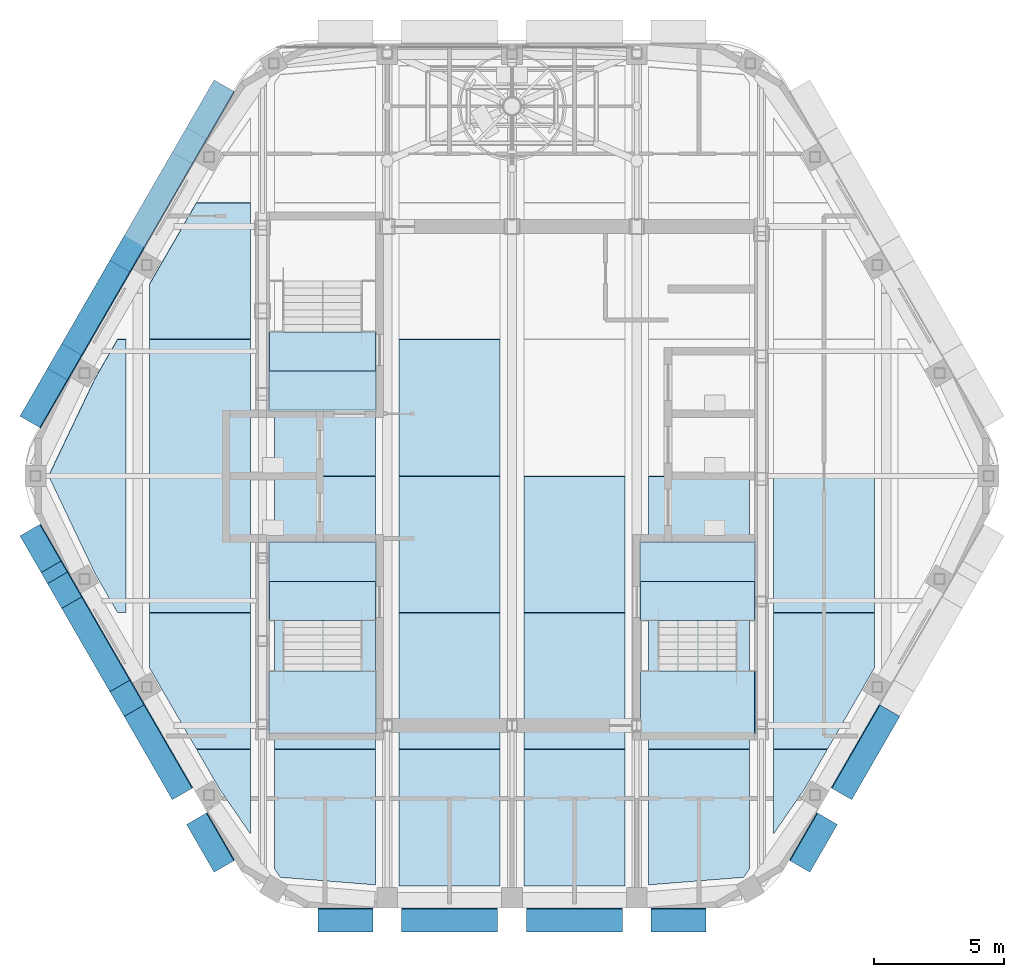
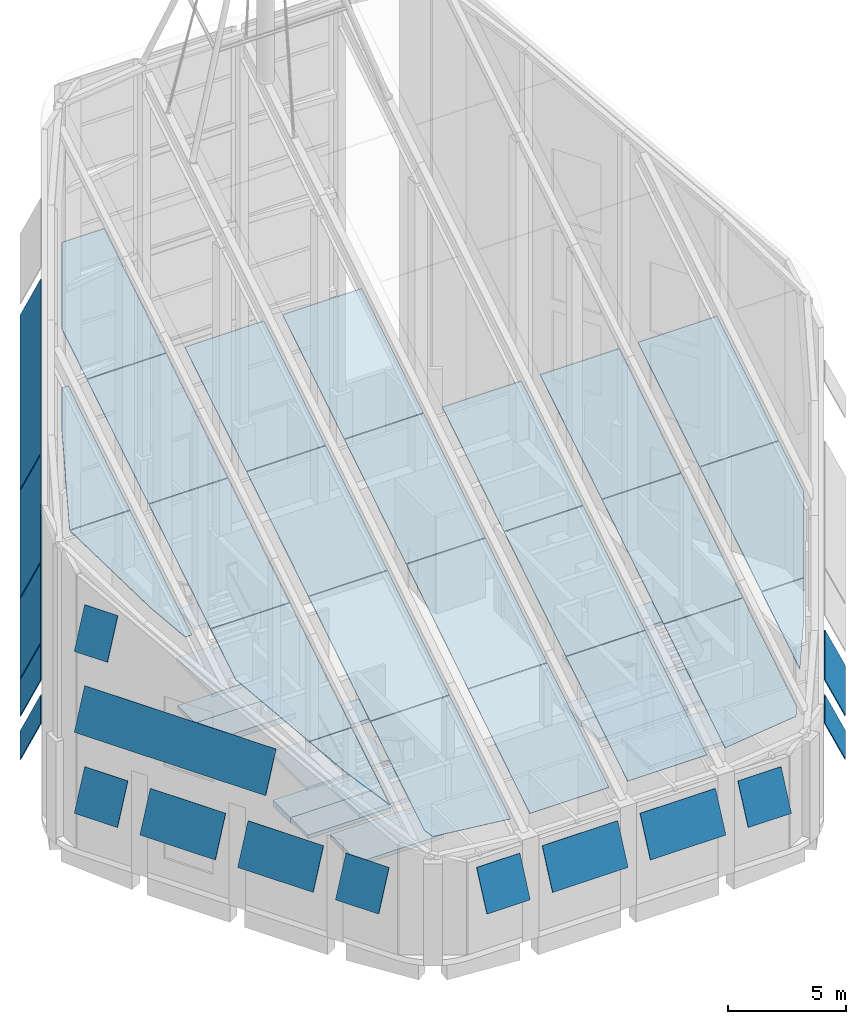
# One storey, part 7 of 25: 41 plates, 16 slabs, 3 elements without a shape of their own.
"""IFC4 building model written with IfcOpenShell, lengths in metres."""

from ifc_helpers import new_model, si_unit, direction, frame, origin, place, context, subcontext, project, spatial, polyline, outline, extrude, material, layer, layer_set, type_object, element, aggregate, save


model = new_model("IFC4")

# Units and contexts
model_context = context("Model", 3, precision=1e-05, world=origin(), true_north=direction((0.0, 1.0)))
body_context = subcontext(model_context, "Body", "Model", "MODEL_VIEW")
ifc_project = project(units=[si_unit("LENGTHUNIT", "METRE"), si_unit("AREAUNIT", "SQUARE_METRE"), si_unit("VOLUMEUNIT", "CUBIC_METRE"), si_unit("PLANEANGLEUNIT", "RADIAN"), si_unit("MASSUNIT", "GRAM", prefix="KILO")], contexts=[model_context])

# Site, building, storey
site_placement = place(None, origin())
site = spatial("IfcSite", under=ifc_project, at=site_placement, CompositionType="ELEMENT")
building_placement = place(site_placement, origin())
building = spatial("IfcBuilding", under=site, at=building_placement, Name="Kolab Exchange Tower", CompositionType="ELEMENT")
storey_placement = place(building_placement, frame((0.0, 0.0, 301.89990234375)))
storey = spatial("IfcBuildingStorey", under=building, at=storey_placement, Name="L68", CompositionType="ELEMENT", Elevation=301.89990234375)

# Plates
ifc_material_1 = material(Name="Clear insulated glazing unit", Category="glass")
ifc_layer_1 = layer(ifc_material_1, 0.033935546875)
ifc_layer_set_1 = layer_set([ifc_layer_1], Name="Clear insulated glazing unit")
plate_type_1 = type_object("IfcPlateType", Name="CROWN ROOF GLAZING SHEET 34", PredefinedType="SHEET", material=ifc_layer_set_1)
plate_1_placement = place(storey_placement, frame((-16.046142578125, -3.742919921875, 13.091552734375), z_axis=(2.865514e-05, -0.529917489585, 0.848049204593), x_axis=(-0.374102773752, 0.786464340751, 0.491447815539)))
element("IfcPlate", 1, at=plate_1_placement, inside=storey, type_object=plate_type_1, Name="Crown roof glazing panel", PredefinedType="SHEET", context=body_context, shape_type="SweptSolid", body=[
    extrude(outline(polyline([(0.0, 0.0), (4.746382244443765, -5.551115123125783e-17), (3.638413311732546, -2.7466149280675314), (-2.0910398032323254, -0.43538593797410513), (-1.9727626811598642, -0.14218122839967162), (0.0, 0.0)])), origin(), (0.0, 0.0, -1.0), 0.033935546875),
])
plate_2_placement = place(storey_placement, frame((-16.046142578125, 3.742919921875, 17.76904296875), z_axis=(-2.865514e-05, -0.529917489585, 0.848049204593), x_axis=(0.439800788013, 0.761622373471, 0.47592712372)))
element("IfcPlate", 2, at=plate_2_placement, inside=storey, type_object=plate_type_1, Name="Crown roof glazing panel", PredefinedType="SHEET", context=body_context, shape_type="SweptSolid", body=[
    extrude(outline(polyline([(0.0, 0.0), (1.9778796975261907, -1.3877787807814457e-16), (2.1169280423690964, -0.2839437217457368), (-3.4315580083544726, -3.001058917344725), (-4.734102773828825, -0.3411969185049326), (0.0, 0.0)])), origin(), (0.0, 0.0, -1.0), 0.033935546875),
])
plate_3_placement = place(storey_placement, frame((-11.264404296875, -12.02490234375, 7.916259765625), z_axis=(-2.2989521e-05, -0.529923444965, 0.84804548342), x_axis=(-0.439778142488, 0.761640471596, 0.475919087047)))
element("IfcPlate", 3, at=plate_3_placement, inside=storey, type_object=plate_type_1, Name="Crown roof glazing panel", PredefinedType="SHEET", context=body_context, shape_type="SweptSolid", body=[
    extrude(outline(polyline([(0.0, 0.0), (1.9646580566581207, -8.326672684688674e-17), (1.0550388127223036, -1.8576068833181485), (-2.381355602784418, -0.17489860100711707), (0.0, 0.0)])), origin(), (0.0, 0.0, -1.0), 0.033935546875),
])
plate_4_placement = place(storey_placement, frame((-13.6552734375, -7.8837890625, 10.50390625), z_axis=(-8.239304e-06, -0.529903977733, 0.84805764799), x_axis=(-0.439605031224, 0.761719828678, 0.475952013465)))
element("IfcPlate", 4, at=plate_4_placement, inside=storey, type_object=plate_type_1, Name="Crown roof glazing panel", PredefinedType="SHEET", context=body_context, shape_type="SweptSolid", body=[
    extrude(outline(polyline([(0.0, 0.0), (0.6475539339216134, -1.3877787807814457e-17), (2.8942646449767215, -1.0996159182913814), (1.188648640040318, -4.584492484457789), (-4.360313291594177, -1.8686435582097498), (-3.4460078079512604, -0.0005549937010898565), (0.0, 0.0)])), origin(), (0.0, 0.0, -1.0), 0.033935546875),
])
for number, where, z_axis, x_axis, name in (
    (5, (-13.93994140625, -5.249267578125, 12.150146484375), (0.0, -0.529927895685, 0.848042702566), (0.0, 0.848042702566, 0.529927895685), "Crown roof glazing panel"),
    (6, (-13.93994140625, 0.010009765625, 15.4365234375), (0.0, -0.529927895685, 0.848042702566), (0.0, 0.848042702566, 0.529927895685), "Crown roof glazing panel"),
):
    element("IfcPlate", number, at=place(storey_placement, frame(where, z_axis=z_axis, x_axis=x_axis)), inside=storey, type_object=plate_type_1, Name=name, PredefinedType="SHEET", context=body_context, shape_type="SweptSolid", body=[
        extrude(outline(polyline([(0.0, 0.0), (6.178058954637429, 0.0), (6.178058954637429, -3.8798828125), (0.0, -3.8798828125), (0.0, 0.0)])), origin(), (0.0, 0.0, -1.0), 0.033935546875),
    ])
plate_5_placement = place(storey_placement, frame((-13.6552734375, 7.8837890625, 20.356689453125), z_axis=(2.3686535e-05, -0.529905187228, 0.848056891952), x_axis=(0.439749683277, 0.761662697363, 0.475909814465)))
element("IfcPlate", 7, at=plate_5_placement, inside=storey, type_object=plate_type_1, Name="Crown roof glazing panel", PredefinedType="SHEET", context=body_context, shape_type="SweptSolid", body=[
    extrude(outline(polyline([(0.0, 0.0), (3.446007853322028, -1.6653345369377348e-16), (4.360614189218777, -1.8679412866767962), (-1.1879102706366615, -4.584683863120433), (-2.8940875085837363, -1.1000820403868212), (-0.6474377356514304, -4.739862887470636e-05), (0.0, 0.0)])), origin(), (0.0, 0.0, -1.0), 0.033935546875),
])
plate_6_placement = place(storey_placement, frame((-8.913330078125, -15.438232421875, 5.783447265625), z_axis=(1.5541599e-05, -0.529922981965, 0.848045772906), x_axis=(-0.503898988149, 0.732506062215, 0.457734288164)))
element("IfcPlate", 8, at=plate_6_placement, inside=storey, type_object=plate_type_1, Name="Crown roof glazing panel", PredefinedType="SHEET", context=body_context, shape_type="SweptSolid", body=[
    extrude(outline(polyline([(0.0, 0.0), (0.4496188827764328, 0.0), (5.114795956350343, -2.7215557131164263), (3.1597269329950723, -6.072853334786806), (-2.137620598108784, -2.9825040940733913), (0.0, 0.0)])), origin(), (0.0, 0.0, -1.0), 0.033935546875),
])
plate_7_placement = place(storey_placement, frame((-9.139892578125, -10.508544921875, 8.864013671875), z_axis=(0.0, -0.529899474833, 0.848060461625), x_axis=(0.0, 0.848060461625, 0.529899474833)))
element("IfcPlate", 9, at=plate_7_placement, inside=storey, type_object=plate_type_1, Name="Crown roof glazing panel", PredefinedType="SHEET", context=body_context, shape_type="SweptSolid", body=[
    extrude(outline(polyline([(0.0, 0.0), (6.177929581179076, 0.0), (6.177929581179076, -3.8798828125), (0.0, -3.8798828125), (0.0, 0.0)])), origin(), (0.0, 0.0, -1.0), 0.033935546875),
])
for number, where, z_axis, x_axis, name in (
    (10, (-9.139892578125, -5.249267578125, 12.150146484375), (0.0, -0.529927895685, 0.848042702566), (0.0, 0.848042702566, 0.529927895685), "Crown roof glazing panel"),
    (11, (-9.139892578125, 0.010009765625, 15.4365234375), (0.0, -0.529927895685, 0.848042702566), (0.0, 0.848042702566, 0.529927895685), "Crown roof glazing panel"),
):
    element("IfcPlate", number, at=place(storey_placement, frame(where, z_axis=z_axis, x_axis=x_axis)), inside=storey, type_object=plate_type_1, Name=name, PredefinedType="SHEET", context=body_context, shape_type="SweptSolid", body=[
        extrude(outline(polyline([(0.0, 0.0), (6.178058954637429, 0.0), (6.178058954637429, -3.8798828125), (0.0, -3.8798828125), (0.0, 0.0)])), origin(), (0.0, 0.0, -1.0), 0.033935546875),
    ])
plate_8_placement = place(storey_placement, frame((-4.340087890625, -15.767578125, 5.57763671875), z_axis=(0.0, -0.529917234267, 0.848049364617), x_axis=(0.0, 0.848049364617, 0.529917234267)))
element("IfcPlate", 12, at=plate_8_placement, inside=storey, type_object=plate_type_1, Name="Crown roof glazing panel", PredefinedType="SHEET", context=body_context, shape_type="SweptSolid", body=[
    extrude(outline(polyline([(0.0, 0.0), (6.177722536522531, 0.0), (6.177722536522531, -3.880126953125), (0.0, -3.880126953125), (0.0, 0.0)])), origin(), (0.0, 0.0, -1.0), 0.033935546875),
])
plate_9_placement = place(storey_placement, frame((-4.340087890625, -10.508544921875, 8.864013671875), z_axis=(0.0, -0.529899474833, 0.848060461625), x_axis=(0.0, 0.848060461625, 0.529899474833)))
element("IfcPlate", 13, at=plate_9_placement, inside=storey, type_object=plate_type_1, Name="Crown roof glazing panel", PredefinedType="SHEET", context=body_context, shape_type="SweptSolid", body=[
    extrude(outline(polyline([(0.0, 0.0), (6.177929581179076, 0.0), (6.177929581179076, -3.880126953125), (0.0, -3.880126953125), (0.0, 0.0)])), origin(), (0.0, 0.0, -1.0), 0.033935546875),
])
for number, where, z_axis, x_axis, name in (
    (14, (-4.340087890625, -5.249267578125, 12.150146484375), (0.0, -0.529927895685, 0.848042702566), (0.0, 0.848042702566, 0.529927895685), "Crown roof glazing panel"),
    (15, (-4.340087890625, 0.010009765625, 15.4365234375), (0.0, -0.529927895685, 0.848042702566), (0.0, 0.848042702566, 0.529927895685), "Crown roof glazing panel"),
):
    element("IfcPlate", number, at=place(storey_placement, frame(where, z_axis=z_axis, x_axis=x_axis)), inside=storey, type_object=plate_type_1, Name=name, PredefinedType="SHEET", context=body_context, shape_type="SweptSolid", body=[
        extrude(outline(polyline([(0.0, 0.0), (6.178058954637429, 0.0), (6.178058954637429, -3.880126953125), (0.0, -3.880126953125), (0.0, 0.0)])), origin(), (0.0, 0.0, -1.0), 0.033935546875),
    ])
plate_10_placement = place(storey_placement, frame((0.4599609375, -15.767578125, 5.57763671875), z_axis=(0.0, -0.529917234267, 0.848049364617), x_axis=(0.0, 0.848049364617, 0.529917234267)))
element("IfcPlate", 16, at=plate_10_placement, inside=storey, type_object=plate_type_1, Name="Crown roof glazing panel", PredefinedType="SHEET", context=body_context, shape_type="SweptSolid", body=[
    extrude(outline(polyline([(0.0, 0.0), (6.177722536522531, 0.0), (6.177722536522531, -3.880126953125), (0.0, -3.880126953125), (0.0, 0.0)])), origin(), (0.0, 0.0, -1.0), 0.033935546875),
])
plate_11_placement = place(storey_placement, frame((0.4599609375, -10.508544921875, 8.864013671875), z_axis=(0.0, -0.529899474833, 0.848060461625), x_axis=(0.0, 0.848060461625, 0.529899474833)))
element("IfcPlate", 17, at=plate_11_placement, inside=storey, type_object=plate_type_1, Name="Crown roof glazing panel", PredefinedType="SHEET", context=body_context, shape_type="SweptSolid", body=[
    extrude(outline(polyline([(0.0, 0.0), (6.177929581179076, 0.0), (6.177929581179076, -3.880126953125), (0.0, -3.880126953125), (0.0, 0.0)])), origin(), (0.0, 0.0, -1.0), 0.033935546875),
])
plate_12_placement = place(storey_placement, frame((0.4599609375, -5.249267578125, 12.150146484375), z_axis=(0.0, -0.529927895685, 0.848042702566), x_axis=(0.0, 0.848042702566, 0.529927895685)))
element("IfcPlate", 18, at=plate_12_placement, inside=storey, type_object=plate_type_1, Name="Crown roof glazing panel", PredefinedType="SHEET", context=body_context, shape_type="SweptSolid", body=[
    extrude(outline(polyline([(0.0, 0.0), (6.178058954637429, 0.0), (6.178058954637429, -3.880126953125), (0.0, -3.880126953125), (0.0, 0.0)])), origin(), (0.0, 0.0, -1.0), 0.033935546875),
])
plate_13_placement = place(storey_placement, frame((8.913330078125, -15.438232421875, 5.783447265625), z_axis=(-1.5541599e-05, -0.529922981965, 0.848045772906), x_axis=(-0.995608427966, -0.079382011638, -0.049622115943)))
element("IfcPlate", 19, at=plate_13_placement, inside=storey, type_object=plate_type_1, Name="Crown roof glazing panel", PredefinedType="SHEET", context=body_context, shape_type="SweptSolid", body=[
    extrude(outline(polyline([(0.0, 0.0), (3.6694349009927256, -5.551115123125783e-17), (3.0953029182413743, -6.10594151308806), (-0.7675411094055609, -5.742724424875963), (-0.2619244137187288, -0.36544868483444815), (0.0, 0.0)])), origin(), (0.0, 0.0, -1.0), 0.033935546875),
])
plate_14_placement = place(storey_placement, frame((5.260009765625, -10.508544921875, 8.864013671875), z_axis=(0.0, -0.529899474833, 0.848060461625), x_axis=(0.0, 0.848060461625, 0.529899474833)))
element("IfcPlate", 20, at=plate_14_placement, inside=storey, type_object=plate_type_1, Name="Crown roof glazing panel", PredefinedType="SHEET", context=body_context, shape_type="SweptSolid", body=[
    extrude(outline(polyline([(0.0, 0.0), (6.177929581179076, 0.0), (6.177929581179076, -3.8798828125), (0.0, -3.8798828125), (0.0, 0.0)])), origin(), (0.0, 0.0, -1.0), 0.033935546875),
])
plate_15_placement = place(storey_placement, frame((5.260009765625, -5.249267578125, 12.150146484375), z_axis=(0.0, -0.529927895685, 0.848042702566), x_axis=(0.0, 0.848042702566, 0.529927895685)))
element("IfcPlate", 21, at=plate_15_placement, inside=storey, type_object=plate_type_1, Name="Crown roof glazing panel", PredefinedType="SHEET", context=body_context, shape_type="SweptSolid", body=[
    extrude(outline(polyline([(0.0, 0.0), (6.178058954637429, 0.0), (6.178058954637429, -3.8798828125), (0.0, -3.8798828125), (0.0, 0.0)])), origin(), (0.0, 0.0, -1.0), 0.033935546875),
])
plate_16_placement = place(storey_placement, frame((11.264404296875, -12.02490234375, 7.916259765625), z_axis=(2.2989521e-05, -0.529923444965, 0.84804548342), x_axis=(-0.504381019711, -0.732277478584, -0.457569100042)))
element("IfcPlate", 22, at=plate_16_placement, inside=storey, type_object=plate_type_1, Name="Crown roof glazing panel", PredefinedType="SHEET", context=body_context, shape_type="SweptSolid", body=[
    extrude(outline(polyline([(0.0, 0.0), (2.387769676402434, -2.220446049250313e-16), (-0.916139343059928, -1.9298960939385252), (-1.9593805537506293, -0.14390665438241942), (0.0, 0.0)])), origin(), (0.0, 0.0, -1.0), 0.033935546875),
])
plate_17_placement = place(storey_placement, frame((13.6552734375, -7.8837890625, 10.50390625), z_axis=(8.239304e-06, -0.529903977733, 0.84805764799), x_axis=(-0.439749682899, -0.761659776785, -0.475914488977)))
element("IfcPlate", 23, at=plate_17_placement, inside=storey, type_object=plate_type_1, Name="Crown roof glazing panel", PredefinedType="SHEET", context=body_context, shape_type="SweptSolid", body=[
    extrude(outline(polyline([(0.0, 0.0), (3.4460078526432674, -1.6653345369377348e-16), (4.360614187755061, -1.8679412876321635), (-1.187910273303078, -4.584683861740159), (-2.8940875097858383, -1.1000820372243303), (-0.6475539255233493, -0.00010429121749298831), (0.0, 0.0)])), origin(), (0.0, 0.0, -1.0), 0.033935546875),
])
plate_18_placement = place(storey_placement, frame((10.06005859375, -5.249267578125, 12.150146484375), z_axis=(0.0, -0.529927895685, 0.848042702566), x_axis=(0.0, 0.848042702566, 0.529927895685)))
element("IfcPlate", 24, at=plate_18_placement, inside=storey, type_object=plate_type_1, Name="Crown roof glazing panel", PredefinedType="SHEET", context=body_context, shape_type="SweptSolid", body=[
    extrude(outline(polyline([(0.0, 0.0), (6.178058954637429, 0.0), (6.178058954637429, -3.8798828125), (0.0, -3.8798828125), (0.0, 0.0)])), origin(), (0.0, 0.0, -1.0), 0.033935546875),
])

# Slabs
ifc_material_2 = material(Name="Concrete C35/45", Category="concrete")
ifc_layer_2 = layer(ifc_material_2, 0.300048828125)
ifc_layer_set_2 = layer_set([ifc_layer_2], Name="Concrete C35/45")
slab_type_1 = type_object("IfcSlabType", Name="FLOOR SLAB 300", PredefinedType="FLOOR", material=ifc_layer_set_2)
slab_1_placement = place(storey_placement, frame((0.0, 0.0, -0.2998046875)))
element("IfcSlab", 25, at=slab_1_placement, inside=storey, type_object=slab_type_1, Name="slab/L68/floor/2", PredefinedType="FLOOR", context=body_context, shape_type="SweptSolid", body=[
    extrude(outline(polyline([(4.949951171875, -2.550048828125), (4.949951171875, -4.050048828125), (9.324951171875, -4.050048828125), (9.324951171875, -2.550048828125), (6.14990234375, -2.550048828125), (5.85009765625, -2.550048828125), (4.949951171875, -2.550048828125)])), origin(), (0.0, 0.0, 1.0), 0.2998046875),
])
slab_2_placement = place(storey_placement, frame((0.0, 0.0, -0.2998046875)))
element("IfcSlab", 26, at=slab_2_placement, inside=storey, type_object=slab_type_1, Name="slab/L68/floor/3", PredefinedType="FLOOR", context=body_context, shape_type="SweptSolid", body=[
    extrude(outline(polyline([(-7.25, -2.550048828125), (-7.550048828125, -2.550048828125), (-9.324951171875, -2.550048828125), (-9.324951171875, -4.050048828125), (-5.25, -4.050048828125), (-5.25, -2.550048828125), (-7.25, -2.550048828125)])), origin(), (0.0, 0.0, 1.0), 0.2998046875),
])
slab_3_placement = place(storey_placement, frame((0.0, 0.0, -0.2998046875)))
element("IfcSlab", 27, at=slab_3_placement, inside=storey, type_object=slab_type_1, Name="slab/L68/floor/4", PredefinedType="FLOOR", context=body_context, shape_type="SweptSolid", body=[
    extrude(outline(polyline([(-9.324951171875, 4.050048828125), (-9.324951171875, 2.550048828125), (-7.550048828125, 2.550048828125), (-7.25, 2.550048828125), (-5.25, 2.550048828125), (-5.25, 4.050048828125), (-9.324951171875, 4.050048828125)])), origin(), (0.0, 0.0, 1.0), 0.2998046875),
])

# Plates
ifc_material_3 = material(Name="Laminated glass, clear", Category="glass")
ifc_layer_3 = layer(ifc_material_3, 0.0400390625)
ifc_layer_set_3 = layer_set([ifc_layer_3], Name="Laminated glass, clear")
plate_type_2 = type_object("IfcPlateType", Name="OUTER SKIN LAMINATED GLASS SHEET 40", PredefinedType="SHEET", material=ifc_layer_set_3)
plate_19_placement = place(storey_placement, frame((14.919677734375, -9.248779296875, 2.527099609375), z_axis=(0.784897489351, -0.453177384709, 0.42257092801), x_axis=(-0.500013743233, -0.86601746898, 0.0)))
element("IfcPlate", 28, at=plate_19_placement, inside=storey, type_object=plate_type_2, Name="Outer skin", PredefinedType="SHEET", context=body_context, shape_type="SweptSolid", body=[
    extrude(outline(polyline([(0.0, 0.0), (3.7000936100046706, -1.1102230246251565e-16), (3.700276092257063, -2.085214960370441), (0.0001824822523921022, -2.085214960370441), (0.0, 0.0)])), origin(), (0.0, 0.0, -1.0), 0.0400390625),
])
plate_20_placement = place(storey_placement, frame((12.51953125, -13.406005859375, 2.527099609375), z_axis=(0.784891112432, -0.45312116534, 0.422643054061), x_axis=(-0.499974724637, -0.86603999596, 1.1039122e-05)))
element("IfcPlate", 29, at=plate_20_placement, inside=storey, type_object=plate_type_2, Name="Outer skin", PredefinedType="SHEET", context=body_context, shape_type="SweptSolid", body=[
    extrude(outline(polyline([(0.0, 0.0), (2.1176960035160506, -5.551115123125783e-17), (2.117648213074376, -2.085266547008332), (-0.0002592259875631051, -2.085318138685354), (0.0, 0.0)])), origin(), (0.0, 0.0, -1.0), 0.0400390625),
])
plate_21_placement = place(storey_placement, frame((7.468017578125, -17.54541015625, 2.527099609375), z_axis=(0.0, -0.906248928223, 0.422744461932), x_axis=(-1.0, 0.0, 0.0)))
element("IfcPlate", 30, at=plate_21_placement, inside=storey, type_object=plate_type_2, Name="Outer skin", PredefinedType="SHEET", context=body_context, shape_type="SweptSolid", body=[
    extrude(outline(polyline([(0.0, 0.0), (2.117919921875, 0.0), (2.117919921875, -2.085401173196479), (0.0, -2.085401173196479), (0.0, 0.0)])), origin(), (0.0, 0.0, -1.0), 0.0400390625),
])
for number, where, z_axis, x_axis, name in (
    (31, (4.25, -17.54541015625, 2.527099609375), (0.0, -0.906248928223, 0.422744461932), (-1.0, 0.0, 0.0), "Outer skin"),
    (32, (-0.550048828125, -17.54541015625, 2.527099609375), (0.0, -0.906248928223, 0.422744461932), (-1.0, 0.0, 0.0), "Outer skin"),
):
    element("IfcPlate", number, at=place(storey_placement, frame(where, z_axis=z_axis, x_axis=x_axis)), inside=storey, type_object=plate_type_2, Name=name, PredefinedType="SHEET", context=body_context, shape_type="SweptSolid", body=[
        extrude(outline(polyline([(0.0, 0.0), (3.699951171875, 0.0), (3.699951171875, -2.085401173196479), (0.0, -2.085401173196479), (0.0, 0.0)])), origin(), (0.0, 0.0, -1.0), 0.0400390625),
    ])
plate_22_placement = place(storey_placement, frame((-5.35009765625, -17.54541015625, 2.527099609375), z_axis=(0.0, -0.906248928223, 0.422744461932), x_axis=(-1.0, 0.0, 0.0)))
element("IfcPlate", 33, at=plate_22_placement, inside=storey, type_object=plate_type_2, Name="Outer skin", PredefinedType="SHEET", context=body_context, shape_type="SweptSolid", body=[
    extrude(outline(polyline([(0.0, 0.0), (2.117919921875, 0.0), (2.117919921875, -2.085401173196479), (0.0, -2.085401173196479), (0.0, 0.0)])), origin(), (0.0, 0.0, -1.0), 0.0400390625),
])
plate_23_placement = place(storey_placement, frame((-11.460693359375, -15.239990234375, 2.527099609375), z_axis=(-0.784891112432, -0.45312116534, 0.422643054061), x_axis=(-0.499974724637, 0.86603999596, -1.1039122e-05)))
element("IfcPlate", 34, at=plate_23_placement, inside=storey, type_object=plate_type_2, Name="Outer skin", PredefinedType="SHEET", context=body_context, shape_type="SweptSolid", body=[
    extrude(outline(polyline([(0.0, 0.0), (2.1176960035160506, 5.551115123125783e-17), (2.1179552295036137, -2.085318138685354), (4.779044167451096e-05, -2.085266547008332), (0.0, 0.0)])), origin(), (0.0, 0.0, -1.0), 0.0400390625),
])
plate_24_placement = place(storey_placement, frame((-13.069580078125, -12.453125, 2.527099609375), z_axis=(-0.784897489351, -0.453177384709, 0.42257092801), x_axis=(-0.500013743233, 0.86601746898, 0.0)))
element("IfcPlate", 35, at=plate_24_placement, inside=storey, type_object=plate_type_2, Name="Outer skin", PredefinedType="SHEET", context=body_context, shape_type="SweptSolid", body=[
    extrude(outline(polyline([(0.0, 0.0), (3.7000936100046706, 1.1102230246251565e-16), (3.6999111277522783, -2.085214960370441), (-0.0001824822523921022, -2.085214960370441), (0.0, 0.0)])), origin(), (0.0, 0.0, -1.0), 0.0400390625),
])
plate_25_placement = place(storey_placement, frame((-15.469482421875, -8.29638671875, 2.527099609375), z_axis=(-0.784878071656, -0.453166173486, 0.422619015003), x_axis=(-0.500013743233, 0.86601746898, 0.0)))
element("IfcPlate", 36, at=plate_25_placement, inside=storey, type_object=plate_type_2, Name="Outer skin", PredefinedType="SHEET", context=body_context, shape_type="SweptSolid", body=[
    extrude(outline(polyline([(0.0, 0.0), (3.7000936100046706, 1.1102230246251565e-16), (3.7001225577984163, -2.085266548088635), (2.8947793745559486e-05, -2.085266548088635), (0.0, 0.0)])), origin(), (0.0, 0.0, -1.0), 0.0400390625),
])
plate_26_placement = place(storey_placement, frame((-17.86962890625, -4.139404296875, 2.527099609375), z_axis=(-0.784874443197, -0.453133621372, 0.422660655371), x_axis=(-0.499996260511, 0.866027562557, -1.9119215e-05)))
element("IfcPlate", 37, at=plate_26_placement, inside=storey, type_object=plate_type_2, Name="Outer skin", PredefinedType="SHEET", context=body_context, shape_type="SweptSolid", body=[
    extrude(outline(polyline([(0.0, 0.0), (2.1180295057597727, 1.1102230246251565e-16), (2.1179180413926417, -2.085355908149832), (1.0605032407880244e-05, -2.0852665460615505), (0.0, 0.0)])), origin(), (0.0, 0.0, -1.0), 0.0400390625),
])
plate_27_placement = place(storey_placement, frame((-14.234375, -10.435791015625, 6.72705078125), z_axis=(-0.784868405532, -0.453144079133, 0.422660655307), x_axis=(-0.500001819763, 0.86602435313, -4.313235e-06)))
element("IfcPlate", 38, at=plate_27_placement, inside=storey, type_object=plate_type_2, Name="Outer skin", PredefinedType="SHEET", context=body_context, shape_type="SweptSolid", body=[
    extrude(outline(polyline([(0.0, 0.0), (9.388487310231369, 2.220446049250313e-16), (9.388398169179117, -2.0853559092235865), (3.2929704524792376e-05, -2.0852665458285453), (0.0, 0.0)])), origin(), (0.0, 0.0, -1.0), 0.0400390625),
])
plate_28_placement = place(storey_placement, frame((-18.114990234375, -3.714599609375, 10.927001953125), z_axis=(-0.784873716324, -0.45311245728, 0.422684693929), x_axis=(-0.49997561944, 0.866039479386, -1.051823e-05)))
element("IfcPlate", 39, at=plate_28_placement, inside=storey, type_object=plate_type_2, Name="Outer skin", PredefinedType="SHEET", context=body_context, shape_type="SweptSolid", body=[
    extrude(outline(polyline([(0.0, 0.0), (1.6274571909394941, 0.0), (1.6273829909108344, -2.0853559116164075), (0.0002592997513266614, -2.085318139016511), (0.0, 0.0)])), origin(), (0.0, 0.0, -1.0), 0.0400390625),
])
plate_29_placement = place(storey_placement, frame((-18.9287109375, 2.30517578125, 2.527099609375), z_axis=(-0.784874443197, 0.453133621372, 0.422660655371), x_axis=(0.499996260511, 0.866027562557, 1.9119215e-05)))
element("IfcPlate", 40, at=plate_29_placement, inside=storey, type_object=plate_type_2, Name="Outer skin", PredefinedType="SHEET", context=body_context, shape_type="SweptSolid", body=[
    extrude(outline(polyline([(0.0, 0.0), (2.1180295057597727, -1.1102230246251565e-16), (2.1180189007273644, -2.085266546061551), (0.00011146436713102415, -2.085355908149832), (0.0, 0.0)])), origin(), (0.0, 0.0, -1.0), 0.0400390625),
])
plate_30_placement = place(storey_placement, frame((-17.319580078125, 5.092041015625, 2.527099609375), z_axis=(-0.784878071656, 0.453166173486, 0.422619015003), x_axis=(0.500013743233, 0.86601746898, 0.0)))
element("IfcPlate", 41, at=plate_30_placement, inside=storey, type_object=plate_type_2, Name="Outer skin", PredefinedType="SHEET", context=body_context, shape_type="SweptSolid", body=[
    extrude(outline(polyline([(0.0, 0.0), (3.7000936100046706, -1.1102230246251565e-16), (3.7000646622109254, -2.0852665480886357), (-2.8947793745559486e-05, -2.085266548088635), (0.0, 0.0)])), origin(), (0.0, 0.0, -1.0), 0.0400390625),
])
for number, where, z_axis, x_axis, name in (
    (42, (-18.9287109375, 2.30517578125, 6.72705078125), (-0.784869053105, 0.453142957492, 0.422660655317), (0.499999935131, 0.866025441233, 2.711241e-06), "Outer skin"),
    (43, (-18.9287109375, 2.30517578125, 10.927001953125), (-0.784869053105, 0.453142957492, 0.422660655317), (0.499999935131, 0.866025441233, 2.711241e-06), "Outer skin"),
):
    element("IfcPlate", number, at=place(storey_placement, frame(where, z_axis=z_axis, x_axis=x_axis)), inside=storey, type_object=plate_type_2, Name=name, PredefinedType="SHEET", context=body_context, shape_type="SweptSolid", body=[
        extrude(outline(polyline([(0.0, 0.0), (14.935886698645515, 0.0), (14.935848823525303, -2.085266545744581), (8.419517645246794e-05, -2.085355909429135), (0.0, 0.0)])), origin(), (0.0, 0.0, -1.0), 0.0400390625),
    ])
plate_31_placement = place(storey_placement, frame((-17.921630859375, 4.049560546875, 15.126953125), z_axis=(-0.784886014294, 0.453155402725, 0.422615813176), x_axis=(0.500002300759, 0.866024075431, 3.133603e-06)))
element("IfcPlate", 44, at=plate_31_placement, inside=storey, type_object=plate_type_2, Name="Outer skin", PredefinedType="SHEET", context=body_context, shape_type="SweptSolid", body=[
    extrude(outline(polyline([(0.0, 0.0), (12.921665138851408, 0.0), (12.921630469996774, -2.0854878148166662), (8.740201957467905e-05, -2.0855771688325007), (0.0, 0.0)])), origin(), (0.0, 0.0, -1.0), 0.0400390625),
])

# Stair, slabs
ifc_material_4 = material(Name="Concrete C50/60", Category="concrete")
stair_type_1 = type_object("IfcStairType", Name="STAIR ST1 RISER 156.2", PredefinedType="DOUBLE_RETURN_STAIR", material=ifc_material_4)
stair_1_placement = place(storey_placement, origin())
stair_1 = element("IfcStair", 45, at=stair_1_placement, inside=storey, type_object=stair_type_1, Name="Stair 1", PredefinedType="DOUBLE_RETURN_STAIR")
ifc_layer_4 = layer(ifc_material_4, 0.199951171875)
ifc_layer_set_4 = layer_set([ifc_layer_4], Name="Concrete C50/60")
slab_type_2 = type_object("IfcSlabType", Name="STAIR LANDING 200", PredefinedType="LANDING", material=ifc_layer_set_4)
slab_4_placement = place(storey_placement, frame((0.0, 0.0, -0.199951171875)))
slab_4 = element("IfcSlab", 46, at=slab_4_placement, type_object=slab_type_2, Name="ST1 landing 1", PredefinedType="LANDING", context=body_context, shape_type="SweptSolid", body=[
    extrude(outline(polyline([(-9.324951171875, 4.050048828125), (-5.25, 4.050048828125), (-5.25, 5.550048828125), (-9.324951171875, 5.550048828125), (-9.324951171875, 4.050048828125)])), origin(), (0.0, 0.0, 1.0), 0.199951171875),
])
slab_5_placement = place(storey_placement, frame((0.0, 0.0, 2.300048828125)))
slab_5 = element("IfcSlab", 47, at=slab_5_placement, type_object=slab_type_2, Name="ST1 landing 3", PredefinedType="LANDING", context=body_context, shape_type="SweptSolid", body=[
    extrude(outline(polyline([(-9.385009765625, 2.489990234375), (-5.18994140625, 2.489990234375), (-5.18994140625, 5.550048828125), (-9.385009765625, 5.550048828125), (-9.385009765625, 2.489990234375)])), origin(), (0.0, 0.0, 1.0), 0.199951171875),
])
slab_6_placement = place(storey_placement, frame((0.0, 0.0, 4.800048828125)))
slab_6 = element("IfcSlab", 48, at=slab_6_placement, type_object=slab_type_2, Name="ST1 landing 5", PredefinedType="LANDING", context=body_context, shape_type="SweptSolid", body=[
    extrude(outline(polyline([(-9.324951171875, 4.050048828125), (-5.25, 4.050048828125), (-5.25, 5.550048828125), (-9.324951171875, 5.550048828125), (-9.324951171875, 4.050048828125)])), origin(), (0.0, 0.0, 1.0), 0.199951171875),
])
aggregate(stair_1, [slab_4, slab_5, slab_6])

stair_type_2 = type_object("IfcStairType", Name="STAIR ST3 RISER 156.2", PredefinedType="DOUBLE_RETURN_STAIR", material=ifc_material_4)
stair_2_placement = place(storey_placement, origin())
stair_2 = element("IfcStair", 49, at=stair_2_placement, inside=storey, type_object=stair_type_2, Name="Stair 3", PredefinedType="DOUBLE_RETURN_STAIR")
slab_7_placement = place(storey_placement, frame((0.0, 0.0, -0.199951171875)))
slab_7 = element("IfcSlab", 50, at=slab_7_placement, type_object=slab_type_2, Name="ST3 landing 1", PredefinedType="LANDING", context=body_context, shape_type="SweptSolid", body=[
    extrude(outline(polyline([(-9.324951171875, -5.550048828125), (-5.25, -5.550048828125), (-5.25, -4.050048828125), (-9.324951171875, -4.050048828125), (-9.324951171875, -5.550048828125)])), origin(), (0.0, 0.0, 1.0), 0.199951171875),
])
slab_8_placement = place(storey_placement, frame((0.0, 0.0, 1.050048828125)))
slab_8 = element("IfcSlab", 51, at=slab_8_placement, type_object=slab_type_2, Name="ST3 landing 2", PredefinedType="LANDING", context=body_context, shape_type="SweptSolid", body=[
    extrude(outline(polyline([(-9.385009765625, -9.909912109375), (-5.18994140625, -9.909912109375), (-5.18994140625, -7.510009765625), (-9.385009765625, -7.510009765625), (-9.385009765625, -9.909912109375)])), origin(), (0.0, 0.0, 1.0), 0.199951171875),
])
slab_9_placement = place(storey_placement, frame((0.0, 0.0, 2.300048828125)))
slab_9 = element("IfcSlab", 52, at=slab_9_placement, type_object=slab_type_2, Name="ST3 landing 3", PredefinedType="LANDING", context=body_context, shape_type="SweptSolid", body=[
    extrude(outline(polyline([(-9.385009765625, -5.550048828125), (-5.18994140625, -5.550048828125), (-5.18994140625, -2.489990234375), (-9.385009765625, -2.489990234375), (-9.385009765625, -5.550048828125)])), origin(), (0.0, 0.0, 1.0), 0.199951171875),
])
slab_10_placement = place(storey_placement, frame((0.0, 0.0, 3.550048828125)))
slab_10 = element("IfcSlab", 53, at=slab_10_placement, type_object=slab_type_2, Name="ST3 landing 4", PredefinedType="LANDING", context=body_context, shape_type="SweptSolid", body=[
    extrude(outline(polyline([(-9.324951171875, -9.909912109375), (-5.25, -9.909912109375), (-5.25, -7.510009765625), (-9.324951171875, -7.510009765625), (-9.324951171875, -9.909912109375)])), origin(), (0.0, 0.0, 1.0), 0.199951171875),
])
slab_11_placement = place(storey_placement, frame((0.0, 0.0, 4.800048828125)))
slab_11 = element("IfcSlab", 54, at=slab_11_placement, type_object=slab_type_2, Name="ST3 landing 5", PredefinedType="LANDING", context=body_context, shape_type="SweptSolid", body=[
    extrude(outline(polyline([(-9.324951171875, -5.550048828125), (-5.25, -5.550048828125), (-5.25, -4.050048828125), (-9.324951171875, -4.050048828125), (-9.324951171875, -5.550048828125)])), origin(), (0.0, 0.0, 1.0), 0.199951171875),
])
aggregate(stair_2, [slab_7, slab_8, slab_9, slab_10, slab_11])

stair_type_3 = type_object("IfcStairType", Name="STAIR ST2 RISER 156.2", PredefinedType="DOUBLE_RETURN_STAIR", material=ifc_material_4)
stair_3_placement = place(storey_placement, origin())
stair_3 = element("IfcStair", 55, at=stair_3_placement, inside=storey, type_object=stair_type_3, Name="Stair 2", PredefinedType="DOUBLE_RETURN_STAIR")
slab_12_placement = place(storey_placement, frame((0.0, 0.0, -0.199951171875)))
slab_12 = element("IfcSlab", 56, at=slab_12_placement, type_object=slab_type_2, Name="ST2 landing 1", PredefinedType="LANDING", context=body_context, shape_type="SweptSolid", body=[
    extrude(outline(polyline([(4.949951171875, -5.550048828125), (9.324951171875, -5.550048828125), (9.324951171875, -4.050048828125), (4.949951171875, -4.050048828125), (4.949951171875, -5.550048828125)])), origin(), (0.0, 0.0, 1.0), 0.199951171875),
])
slab_13_placement = place(storey_placement, frame((0.0, 0.0, 1.050048828125)))
slab_13 = element("IfcSlab", 57, at=slab_13_placement, type_object=slab_type_2, Name="ST2 landing 2", PredefinedType="LANDING", context=body_context, shape_type="SweptSolid", body=[
    extrude(outline(polyline([(4.889892578125, -9.909912109375), (9.385009765625, -9.909912109375), (9.385009765625, -7.510009765625), (4.889892578125, -7.510009765625), (4.889892578125, -9.909912109375)])), origin(), (0.0, 0.0, 1.0), 0.199951171875),
])
slab_14_placement = place(storey_placement, frame((0.0, 0.0, 2.300048828125)))
slab_14 = element("IfcSlab", 58, at=slab_14_placement, type_object=slab_type_2, Name="ST2 landing 3", PredefinedType="LANDING", context=body_context, shape_type="SweptSolid", body=[
    extrude(outline(polyline([(4.889892578125, -5.550048828125), (9.385009765625, -5.550048828125), (9.385009765625, -2.489990234375), (4.889892578125, -2.489990234375), (4.889892578125, -5.550048828125)])), origin(), (0.0, 0.0, 1.0), 0.199951171875),
])
slab_15_placement = place(storey_placement, frame((0.0, 0.0, 3.550048828125)))
slab_15 = element("IfcSlab", 59, at=slab_15_placement, type_object=slab_type_2, Name="ST2 landing 4", PredefinedType="LANDING", context=body_context, shape_type="SweptSolid", body=[
    extrude(outline(polyline([(4.949951171875, -9.909912109375), (9.324951171875, -9.909912109375), (9.324951171875, -7.510009765625), (4.949951171875, -7.510009765625), (4.949951171875, -9.909912109375)])), origin(), (0.0, 0.0, 1.0), 0.199951171875),
])
slab_16_placement = place(storey_placement, frame((0.0, 0.0, 4.800048828125)))
slab_16 = element("IfcSlab", 60, at=slab_16_placement, type_object=slab_type_2, Name="ST2 landing 5", PredefinedType="LANDING", context=body_context, shape_type="SweptSolid", body=[
    extrude(outline(polyline([(4.949951171875, -5.550048828125), (9.324951171875, -5.550048828125), (9.324951171875, -4.050048828125), (4.949951171875, -4.050048828125), (4.949951171875, -5.550048828125)])), origin(), (0.0, 0.0, 1.0), 0.199951171875),
])
aggregate(stair_3, [slab_12, slab_13, slab_14, slab_15, slab_16])

save(model, "model.ifc")
